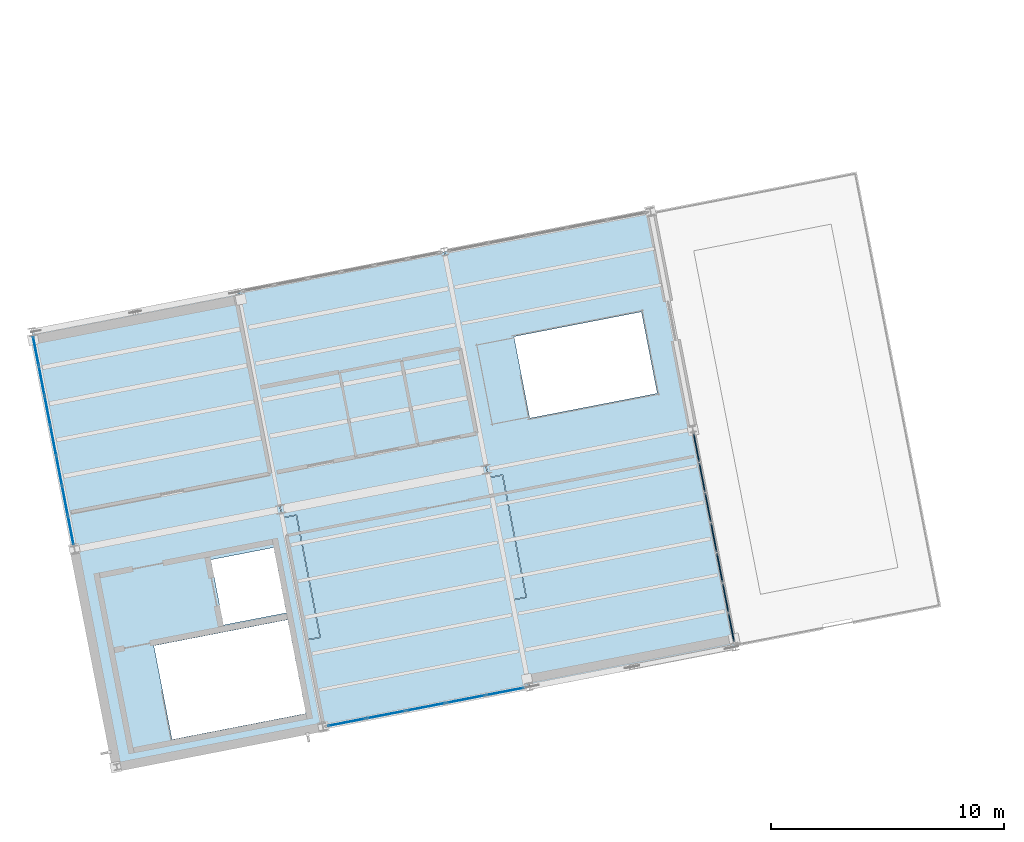
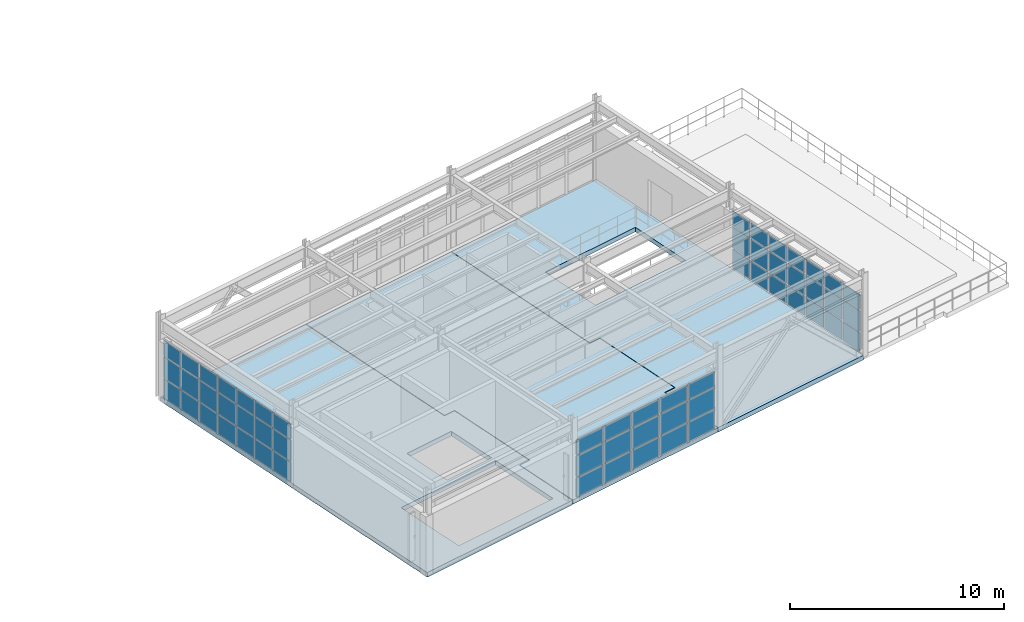
# One storey, part 59 of 102: 57 plates, 3 slabs, 3 elements without a shape of their own.
"""IFC4 building model written with IfcOpenShell, lengths in metres."""

from ifc_helpers import new_model, si_unit, direction, frame, origin, origin_2d, place, context, subcontext, project, spatial, polyline, rectangle, outline, extrude, material, layer, layer_set, type_object, element, aggregate, save


model = new_model("IFC4")

# Units and contexts
model_context = context("Model", 3, precision=1e-05, world=origin(), true_north=direction((0.0, 1.0)))
body_context = subcontext(model_context, "Body", "Model", "MODEL_VIEW")
ifc_project = project(units=[si_unit("LENGTHUNIT", "METRE"), si_unit("AREAUNIT", "SQUARE_METRE"), si_unit("VOLUMEUNIT", "CUBIC_METRE"), si_unit("PLANEANGLEUNIT", "RADIAN"), si_unit("MASSUNIT", "GRAM", prefix="KILO")], contexts=[model_context])

# Site, building, storey
site_placement = place(None, origin())
site = spatial("IfcSite", under=ifc_project, at=site_placement, CompositionType="ELEMENT")
building_placement = place(site_placement, origin())
building = spatial("IfcBuilding", under=site, at=building_placement, Name="Vireo Bluff Cable Station", CompositionType="ELEMENT")
storey_placement = place(building_placement, frame((0.0, 0.0, 9.60009765625)))
storey = spatial("IfcBuildingStorey", under=building, at=storey_placement, Name="L02", CompositionType="ELEMENT", Elevation=9.60009765625)

# Curtain wall, plates
ifc_material_1 = material(Name="Anodized Aluminium 6063-T6", Category="aluminium")
ifc_layer_1 = layer(ifc_material_1, 0.179931640625, Name="Anodized Aluminium 6063-T6")
ifc_layer_set_1 = layer_set([ifc_layer_1], Name="Anodized Aluminium 6063-T6")
curtain_wall_type_1 = type_object("IfcCurtainWallType", Name="CW-UNIT-1650", PredefinedType="USERDEFINED", material=ifc_layer_set_1)
curtain_wall_1_placement = place(storey_placement, origin())
curtain_wall_1 = element("IfcCurtainWall", 1, at=curtain_wall_1_placement, inside=storey, type_object=curtain_wall_type_1, Name="V5 L02 south curtain wall CW-125", ObjectType="UNITISED CURTAIN WALL", PredefinedType="USERDEFINED")
ifc_material_2 = material(Name="Laminated Low-E Insulated Glass", Category="glass")
ifc_layer_2 = layer(ifc_material_2, 0.028076171875, Name="Laminated Low-E Insulated Glass")
ifc_layer_set_2 = layer_set([ifc_layer_2], Name="Laminated Low-E Insulated Glass")
plate_type_1 = type_object("IfcPlateType", Name="CWP-28-1", PredefinedType="CURTAIN_PANEL", material=ifc_layer_set_2)
plate_1_placement = place(storey_placement, frame((26.142822265625, 8.735107421875, 0.0751953125), z_axis=(0.0, 0.0, 1.0), x_axis=(-0.981627185769, -0.190808983435, 0.0)))
plate_1 = element("IfcPlate", 2, at=plate_1_placement, type_object=plate_type_1, Name="CW-125 panel 1.1", PredefinedType="CURTAIN_PANEL", context=body_context, shape_type="SweptSolid", body=[
    extrude(rectangle(XDim=1.62451171875, YDim=0.028076171875, at=origin_2d()), origin(), (0.0, 0.0, 1.0), 1.077392578125),
])
plate_2_placement = place(storey_placement, frame((26.142822265625, 8.735107421875, 1.227294921875), z_axis=(0.0, 0.0, 1.0), x_axis=(-0.981627185769, -0.190808983435, 0.0)))
plate_2 = element("IfcPlate", 3, at=plate_2_placement, type_object=plate_type_1, Name="CW-125 panel 1.2", PredefinedType="CURTAIN_PANEL", context=body_context, shape_type="SweptSolid", body=[
    extrude(rectangle(XDim=1.62451171875, YDim=0.028076171875, at=origin_2d()), origin(), (0.0, 0.0, 1.0), 1.18310546875),
])
plate_3_placement = place(storey_placement, frame((26.142822265625, 8.735107421875, 2.4853515625), z_axis=(0.0, 0.0, 1.0), x_axis=(-0.981627185769, -0.190808983435, 0.0)))
plate_3 = element("IfcPlate", 4, at=plate_3_placement, type_object=plate_type_1, Name="CW-125 panel 1.3", PredefinedType="CURTAIN_PANEL", context=body_context, shape_type="SweptSolid", body=[
    extrude(rectangle(XDim=1.62451171875, YDim=0.028076171875, at=origin_2d()), origin(), (0.0, 0.0, 1.0), 0.839599609375),
])
plate_4_placement = place(storey_placement, frame((24.4560546875, 8.4072265625, 0.0751953125), z_axis=(0.0, 0.0, 1.0), x_axis=(-0.981627185769, -0.190808983435, 0.0)))
plate_4 = element("IfcPlate", 5, at=plate_4_placement, type_object=plate_type_1, Name="CW-125 panel 2.1", PredefinedType="CURTAIN_PANEL", context=body_context, shape_type="SweptSolid", body=[
    extrude(rectangle(XDim=1.662109375, YDim=0.028076171875, at=origin_2d()), origin(), (0.0, 0.0, 1.0), 1.077392578125),
])
plate_5_placement = place(storey_placement, frame((24.4560546875, 8.4072265625, 1.227294921875), z_axis=(0.0, 0.0, 1.0), x_axis=(-0.981627185769, -0.190808983435, 0.0)))
plate_5 = element("IfcPlate", 6, at=plate_5_placement, type_object=plate_type_1, Name="CW-125 panel 2.2", PredefinedType="CURTAIN_PANEL", context=body_context, shape_type="SweptSolid", body=[
    extrude(rectangle(XDim=1.662109375, YDim=0.028076171875, at=origin_2d()), origin(), (0.0, 0.0, 1.0), 1.18310546875),
])
plate_6_placement = place(storey_placement, frame((24.4560546875, 8.4072265625, 2.4853515625), z_axis=(0.0, 0.0, 1.0), x_axis=(-0.981627185769, -0.190808983435, 0.0)))
plate_6 = element("IfcPlate", 7, at=plate_6_placement, type_object=plate_type_1, Name="CW-125 panel 2.3", PredefinedType="CURTAIN_PANEL", context=body_context, shape_type="SweptSolid", body=[
    extrude(rectangle(XDim=1.662109375, YDim=0.028076171875, at=origin_2d()), origin(), (0.0, 0.0, 1.0), 0.839599609375),
])
plate_7_placement = place(storey_placement, frame((22.7509765625, 8.07568359375, 0.0751953125), z_axis=(0.0, 0.0, 1.0), x_axis=(-0.981627185769, -0.190808983435, 0.0)))
plate_7 = element("IfcPlate", 8, at=plate_7_placement, type_object=plate_type_1, Name="CW-125 panel 3.1", PredefinedType="CURTAIN_PANEL", context=body_context, shape_type="SweptSolid", body=[
    extrude(rectangle(XDim=1.662109375, YDim=0.028076171875, at=origin_2d()), origin(), (0.0, 0.0, 1.0), 1.077392578125),
])
plate_8_placement = place(storey_placement, frame((22.7509765625, 8.07568359375, 1.227294921875), z_axis=(0.0, 0.0, 1.0), x_axis=(-0.981627185769, -0.190808983435, 0.0)))
plate_8 = element("IfcPlate", 9, at=plate_8_placement, type_object=plate_type_1, Name="CW-125 panel 3.2", PredefinedType="CURTAIN_PANEL", context=body_context, shape_type="SweptSolid", body=[
    extrude(rectangle(XDim=1.662109375, YDim=0.028076171875, at=origin_2d()), origin(), (0.0, 0.0, 1.0), 1.18310546875),
])
plate_9_placement = place(storey_placement, frame((22.7509765625, 8.07568359375, 2.4853515625), z_axis=(0.0, 0.0, 1.0), x_axis=(-0.981627185769, -0.190808983435, 0.0)))
plate_9 = element("IfcPlate", 10, at=plate_9_placement, type_object=plate_type_1, Name="CW-125 panel 3.3", PredefinedType="CURTAIN_PANEL", context=body_context, shape_type="SweptSolid", body=[
    extrude(rectangle(XDim=1.662109375, YDim=0.028076171875, at=origin_2d()), origin(), (0.0, 0.0, 1.0), 0.839599609375),
])
plate_10_placement = place(storey_placement, frame((21.0458984375, 7.744384765625, 0.0751953125), z_axis=(0.0, 0.0, 1.0), x_axis=(-0.981627185769, -0.190808983435, 0.0)))
plate_10 = element("IfcPlate", 11, at=plate_10_placement, type_object=plate_type_1, Name="CW-125 panel 4.1", PredefinedType="CURTAIN_PANEL", context=body_context, shape_type="SweptSolid", body=[
    extrude(rectangle(XDim=1.662109375, YDim=0.028076171875, at=origin_2d()), origin(), (0.0, 0.0, 1.0), 1.077392578125),
])
plate_11_placement = place(storey_placement, frame((21.0458984375, 7.744384765625, 1.227294921875), z_axis=(0.0, 0.0, 1.0), x_axis=(-0.981627185769, -0.190808983435, 0.0)))
plate_11 = element("IfcPlate", 12, at=plate_11_placement, type_object=plate_type_1, Name="CW-125 panel 4.2", PredefinedType="CURTAIN_PANEL", context=body_context, shape_type="SweptSolid", body=[
    extrude(rectangle(XDim=1.662109375, YDim=0.028076171875, at=origin_2d()), origin(), (0.0, 0.0, 1.0), 1.18310546875),
])
plate_12_placement = place(storey_placement, frame((21.0458984375, 7.744384765625, 2.4853515625), z_axis=(0.0, 0.0, 1.0), x_axis=(-0.981627185769, -0.190808983435, 0.0)))
plate_12 = element("IfcPlate", 13, at=plate_12_placement, type_object=plate_type_1, Name="CW-125 panel 4.3", PredefinedType="CURTAIN_PANEL", context=body_context, shape_type="SweptSolid", body=[
    extrude(rectangle(XDim=1.662109375, YDim=0.028076171875, at=origin_2d()), origin(), (0.0, 0.0, 1.0), 0.839599609375),
])
plate_13_placement = place(storey_placement, frame((19.359130859375, 7.41650390625, 0.0751953125), z_axis=(0.0, 0.0, 1.0), x_axis=(-0.981627185769, -0.190808983435, 0.0)))
plate_13 = element("IfcPlate", 14, at=plate_13_placement, type_object=plate_type_1, Name="CW-125 panel 5.1", PredefinedType="CURTAIN_PANEL", context=body_context, shape_type="SweptSolid", body=[
    extrude(rectangle(XDim=1.62451171875, YDim=0.028076171875, at=origin_2d()), origin(), (0.0, 0.0, 1.0), 1.077392578125),
])
plate_14_placement = place(storey_placement, frame((19.359130859375, 7.41650390625, 1.227294921875), z_axis=(0.0, 0.0, 1.0), x_axis=(-0.981627185769, -0.190808983435, 0.0)))
plate_14 = element("IfcPlate", 15, at=plate_14_placement, type_object=plate_type_1, Name="CW-125 panel 5.2", PredefinedType="CURTAIN_PANEL", context=body_context, shape_type="SweptSolid", body=[
    extrude(rectangle(XDim=1.62451171875, YDim=0.028076171875, at=origin_2d()), origin(), (0.0, 0.0, 1.0), 1.18310546875),
])
plate_15_placement = place(storey_placement, frame((19.359130859375, 7.41650390625, 2.4853515625), z_axis=(0.0, 0.0, 1.0), x_axis=(-0.981627185769, -0.190808983435, 0.0)))
plate_15 = element("IfcPlate", 16, at=plate_15_placement, type_object=plate_type_1, Name="CW-125 panel 5.3", PredefinedType="CURTAIN_PANEL", context=body_context, shape_type="SweptSolid", body=[
    extrude(rectangle(XDim=1.62451171875, YDim=0.028076171875, at=origin_2d()), origin(), (0.0, 0.0, 1.0), 0.839599609375),
])
aggregate(curtain_wall_1, [plate_1, plate_2, plate_3, plate_4, plate_5, plate_6, plate_7, plate_8, plate_9, plate_10, plate_11, plate_12, plate_13, plate_14, plate_15])

ifc_layer_3 = layer(ifc_material_1, 0.179931640625, Name="Anodized Aluminium 6063-T6")
ifc_layer_set_3 = layer_set([ifc_layer_3], Name="Anodized Aluminium 6063-T6")
curtain_wall_type_2 = type_object("IfcCurtainWallType", Name="CW-UNIT-1400", PredefinedType="USERDEFINED", material=ifc_layer_set_3)
curtain_wall_2_placement = place(storey_placement, origin())
curtain_wall_2 = element("IfcCurtainWall", 17, at=curtain_wall_2_placement, inside=storey, type_object=curtain_wall_type_2, Name="V5 L02 west curtain wall CW-126", ObjectType="UNITISED CURTAIN WALL", PredefinedType="USERDEFINED")
ifc_layer_4 = layer(ifc_material_2, 0.031982421875, Name="Laminated Low-E Insulated Glass")
ifc_layer_set_4 = layer_set([ifc_layer_4], Name="Laminated Low-E Insulated Glass")
plate_type_2 = type_object("IfcPlateType", Name="CWP-32-2", PredefinedType="CURTAIN_PANEL", material=ifc_layer_set_4)
plate_16_placement = place(storey_placement, frame((7.5283203125, 15.6435546875, 0.059814453125), z_axis=(0.0, 0.0, 1.0), x_axis=(-0.190809009442, 0.981627180714, 0.0)))
plate_16 = element("IfcPlate", 18, at=plate_16_placement, type_object=plate_type_2, Name="CW-126 panel 1.1", PredefinedType="CURTAIN_PANEL", context=body_context, shape_type="SweptSolid", body=[
    extrude(rectangle(XDim=1.2197265625, YDim=0.031982421875, at=origin_2d()), origin(), (0.0, 0.0, 1.0), 1.10009765625),
])
plate_17_placement = place(storey_placement, frame((7.5283203125, 15.6435546875, 1.2197265625), z_axis=(0.0, 0.0, 1.0), x_axis=(-0.190809009442, 0.981627180714, 0.0)))
plate_17 = element("IfcPlate", 19, at=plate_17_placement, type_object=plate_type_2, Name="CW-126 panel 1.2", PredefinedType="CURTAIN_PANEL", context=body_context, shape_type="SweptSolid", body=[
    extrude(rectangle(XDim=1.2197265625, YDim=0.031982421875, at=origin_2d()), origin(), (0.0, 0.0, 1.0), 1.197998046875),
])
plate_18_placement = place(storey_placement, frame((7.5283203125, 15.6435546875, 2.47802734375), z_axis=(0.0, 0.0, 1.0), x_axis=(-0.190809009442, 0.981627180714, 0.0)))
plate_18 = element("IfcPlate", 20, at=plate_18_placement, type_object=plate_type_2, Name="CW-126 panel 1.3", PredefinedType="CURTAIN_PANEL", context=body_context, shape_type="SweptSolid", body=[
    extrude(rectangle(XDim=1.2197265625, YDim=0.031982421875, at=origin_2d()), origin(), (0.0, 0.0, 1.0), 0.862060546875),
])
plate_19_placement = place(storey_placement, frame((7.28125, 16.91455078125, 0.059814453125), z_axis=(0.0, 0.0, 1.0), x_axis=(-0.190809009442, 0.981627180714, 0.0)))
plate_19 = element("IfcPlate", 21, at=plate_19_placement, type_object=plate_type_2, Name="CW-126 panel 2.1", PredefinedType="CURTAIN_PANEL", context=body_context, shape_type="SweptSolid", body=[
    extrude(rectangle(XDim=1.249755859375, YDim=0.031982421875, at=origin_2d()), origin(), (0.0, 0.0, 1.0), 1.10009765625),
])
plate_20_placement = place(storey_placement, frame((7.28125, 16.91455078125, 1.2197265625), z_axis=(0.0, 0.0, 1.0), x_axis=(-0.190809009442, 0.981627180714, 0.0)))
plate_20 = element("IfcPlate", 22, at=plate_20_placement, type_object=plate_type_2, Name="CW-126 panel 2.2", PredefinedType="CURTAIN_PANEL", context=body_context, shape_type="SweptSolid", body=[
    extrude(rectangle(XDim=1.249755859375, YDim=0.031982421875, at=origin_2d()), origin(), (0.0, 0.0, 1.0), 1.197998046875),
])
plate_21_placement = place(storey_placement, frame((7.28125, 16.91455078125, 2.47802734375), z_axis=(0.0, 0.0, 1.0), x_axis=(-0.190809009442, 0.981627180714, 0.0)))
plate_21 = element("IfcPlate", 23, at=plate_21_placement, type_object=plate_type_2, Name="CW-126 panel 2.3", PredefinedType="CURTAIN_PANEL", context=body_context, shape_type="SweptSolid", body=[
    extrude(rectangle(XDim=1.249755859375, YDim=0.031982421875, at=origin_2d()), origin(), (0.0, 0.0, 1.0), 0.862060546875),
])
plate_22_placement = place(storey_placement, frame((7.03125, 18.2001953125, 0.059814453125), z_axis=(0.0, 0.0, 1.0), x_axis=(-0.190809009442, 0.981627180714, 0.0)))
plate_22 = element("IfcPlate", 24, at=plate_22_placement, type_object=plate_type_2, Name="CW-126 panel 3.1", PredefinedType="CURTAIN_PANEL", context=body_context, shape_type="SweptSolid", body=[
    extrude(rectangle(XDim=1.249755859375, YDim=0.031982421875, at=origin_2d()), origin(), (0.0, 0.0, 1.0), 1.10009765625),
])
plate_23_placement = place(storey_placement, frame((7.03125, 18.2001953125, 1.2197265625), z_axis=(0.0, 0.0, 1.0), x_axis=(-0.190809009442, 0.981627180714, 0.0)))
plate_23 = element("IfcPlate", 25, at=plate_23_placement, type_object=plate_type_2, Name="CW-126 panel 3.2", PredefinedType="CURTAIN_PANEL", context=body_context, shape_type="SweptSolid", body=[
    extrude(rectangle(XDim=1.249755859375, YDim=0.031982421875, at=origin_2d()), origin(), (0.0, 0.0, 1.0), 1.197998046875),
])
plate_24_placement = place(storey_placement, frame((7.03125, 18.2001953125, 2.47802734375), z_axis=(0.0, 0.0, 1.0), x_axis=(-0.190809009442, 0.981627180714, 0.0)))
plate_24 = element("IfcPlate", 26, at=plate_24_placement, type_object=plate_type_2, Name="CW-126 panel 3.3", PredefinedType="CURTAIN_PANEL", context=body_context, shape_type="SweptSolid", body=[
    extrude(rectangle(XDim=1.249755859375, YDim=0.031982421875, at=origin_2d()), origin(), (0.0, 0.0, 1.0), 0.862060546875),
])
plate_25_placement = place(storey_placement, frame((6.781494140625, 19.48583984375, 0.059814453125), z_axis=(0.0, 0.0, 1.0), x_axis=(-0.190809009442, 0.981627180714, 0.0)))
plate_25 = element("IfcPlate", 27, at=plate_25_placement, type_object=plate_type_2, Name="CW-126 panel 4.1", PredefinedType="CURTAIN_PANEL", context=body_context, shape_type="SweptSolid", body=[
    extrude(rectangle(XDim=1.249755859375, YDim=0.031982421875, at=origin_2d()), origin(), (0.0, 0.0, 1.0), 1.10009765625),
])
plate_26_placement = place(storey_placement, frame((6.781494140625, 19.48583984375, 1.2197265625), z_axis=(0.0, 0.0, 1.0), x_axis=(-0.190809009442, 0.981627180714, 0.0)))
plate_26 = element("IfcPlate", 28, at=plate_26_placement, type_object=plate_type_2, Name="CW-126 panel 4.2", PredefinedType="CURTAIN_PANEL", context=body_context, shape_type="SweptSolid", body=[
    extrude(rectangle(XDim=1.249755859375, YDim=0.031982421875, at=origin_2d()), origin(), (0.0, 0.0, 1.0), 1.197998046875),
])
plate_27_placement = place(storey_placement, frame((6.781494140625, 19.48583984375, 2.47802734375), z_axis=(0.0, 0.0, 1.0), x_axis=(-0.190809009442, 0.981627180714, 0.0)))
plate_27 = element("IfcPlate", 29, at=plate_27_placement, type_object=plate_type_2, Name="CW-126 panel 4.3", PredefinedType="CURTAIN_PANEL", context=body_context, shape_type="SweptSolid", body=[
    extrude(rectangle(XDim=1.249755859375, YDim=0.031982421875, at=origin_2d()), origin(), (0.0, 0.0, 1.0), 0.862060546875),
])
plate_28_placement = place(storey_placement, frame((6.531494140625, 20.771484375, 0.059814453125), z_axis=(0.0, 0.0, 1.0), x_axis=(-0.190809009442, 0.981627180714, 0.0)))
plate_28 = element("IfcPlate", 30, at=plate_28_placement, type_object=plate_type_2, Name="CW-126 panel 5.1", PredefinedType="CURTAIN_PANEL", context=body_context, shape_type="SweptSolid", body=[
    extrude(rectangle(XDim=1.249755859375, YDim=0.031982421875, at=origin_2d()), origin(), (0.0, 0.0, 1.0), 1.10009765625),
])
plate_29_placement = place(storey_placement, frame((6.531494140625, 20.771484375, 1.2197265625), z_axis=(0.0, 0.0, 1.0), x_axis=(-0.190809009442, 0.981627180714, 0.0)))
plate_29 = element("IfcPlate", 31, at=plate_29_placement, type_object=plate_type_2, Name="CW-126 panel 5.2", PredefinedType="CURTAIN_PANEL", context=body_context, shape_type="SweptSolid", body=[
    extrude(rectangle(XDim=1.249755859375, YDim=0.031982421875, at=origin_2d()), origin(), (0.0, 0.0, 1.0), 1.197998046875),
])
plate_30_placement = place(storey_placement, frame((6.531494140625, 20.771484375, 2.47802734375), z_axis=(0.0, 0.0, 1.0), x_axis=(-0.190809009442, 0.981627180714, 0.0)))
plate_30 = element("IfcPlate", 32, at=plate_30_placement, type_object=plate_type_2, Name="CW-126 panel 5.3", PredefinedType="CURTAIN_PANEL", context=body_context, shape_type="SweptSolid", body=[
    extrude(rectangle(XDim=1.249755859375, YDim=0.031982421875, at=origin_2d()), origin(), (0.0, 0.0, 1.0), 0.862060546875),
])
plate_31_placement = place(storey_placement, frame((6.28173828125, 22.05712890625, 0.059814453125), z_axis=(0.0, 0.0, 1.0), x_axis=(-0.190809009442, 0.981627180714, 0.0)))
plate_31 = element("IfcPlate", 33, at=plate_31_placement, type_object=plate_type_2, Name="CW-126 panel 6.1", PredefinedType="CURTAIN_PANEL", context=body_context, shape_type="SweptSolid", body=[
    extrude(rectangle(XDim=1.249755859375, YDim=0.031982421875, at=origin_2d()), origin(), (0.0, 0.0, 1.0), 1.10009765625),
])
plate_32_placement = place(storey_placement, frame((6.28173828125, 22.05712890625, 1.2197265625), z_axis=(0.0, 0.0, 1.0), x_axis=(-0.190809009442, 0.981627180714, 0.0)))
plate_32 = element("IfcPlate", 34, at=plate_32_placement, type_object=plate_type_2, Name="CW-126 panel 6.2", PredefinedType="CURTAIN_PANEL", context=body_context, shape_type="SweptSolid", body=[
    extrude(rectangle(XDim=1.249755859375, YDim=0.031982421875, at=origin_2d()), origin(), (0.0, 0.0, 1.0), 1.197998046875),
])
plate_33_placement = place(storey_placement, frame((6.28173828125, 22.05712890625, 2.47802734375), z_axis=(0.0, 0.0, 1.0), x_axis=(-0.190809009442, 0.981627180714, 0.0)))
plate_33 = element("IfcPlate", 35, at=plate_33_placement, type_object=plate_type_2, Name="CW-126 panel 6.3", PredefinedType="CURTAIN_PANEL", context=body_context, shape_type="SweptSolid", body=[
    extrude(rectangle(XDim=1.249755859375, YDim=0.031982421875, at=origin_2d()), origin(), (0.0, 0.0, 1.0), 0.862060546875),
])
plate_34_placement = place(storey_placement, frame((6.03466796875, 23.327880859375, 0.059814453125), z_axis=(0.0, 0.0, 1.0), x_axis=(-0.190809009442, 0.981627180714, 0.0)))
plate_34 = element("IfcPlate", 36, at=plate_34_placement, type_object=plate_type_2, Name="CW-126 panel 7.1", PredefinedType="CURTAIN_PANEL", context=body_context, shape_type="SweptSolid", body=[
    extrude(rectangle(XDim=1.2197265625, YDim=0.031982421875, at=origin_2d()), origin(), (0.0, 0.0, 1.0), 1.10009765625),
])
plate_35_placement = place(storey_placement, frame((6.03466796875, 23.327880859375, 1.2197265625), z_axis=(0.0, 0.0, 1.0), x_axis=(-0.190809009442, 0.981627180714, 0.0)))
plate_35 = element("IfcPlate", 37, at=plate_35_placement, type_object=plate_type_2, Name="CW-126 panel 7.2", PredefinedType="CURTAIN_PANEL", context=body_context, shape_type="SweptSolid", body=[
    extrude(rectangle(XDim=1.2197265625, YDim=0.031982421875, at=origin_2d()), origin(), (0.0, 0.0, 1.0), 1.197998046875),
])
plate_36_placement = place(storey_placement, frame((6.03466796875, 23.327880859375, 2.47802734375), z_axis=(0.0, 0.0, 1.0), x_axis=(-0.190809009442, 0.981627180714, 0.0)))
plate_36 = element("IfcPlate", 38, at=plate_36_placement, type_object=plate_type_2, Name="CW-126 panel 7.3", PredefinedType="CURTAIN_PANEL", context=body_context, shape_type="SweptSolid", body=[
    extrude(rectangle(XDim=1.2197265625, YDim=0.031982421875, at=origin_2d()), origin(), (0.0, 0.0, 1.0), 0.862060546875),
])
aggregate(curtain_wall_2, [plate_16, plate_17, plate_18, plate_19, plate_20, plate_21, plate_22, plate_23, plate_24, plate_25, plate_26, plate_27, plate_28, plate_29, plate_30, plate_31, plate_32, plate_33, plate_34, plate_35, plate_36])

curtain_wall_3_placement = place(storey_placement, origin())
curtain_wall_3 = element("IfcCurtainWall", 39, at=curtain_wall_3_placement, inside=storey, type_object=curtain_wall_type_2, Name="V5 L02 east curtain wall CW-129", ObjectType="UNITISED CURTAIN WALL", PredefinedType="USERDEFINED")
ifc_material_3 = material(Name="Insulated Spandrel Glass Panel", Category="glass")
ifc_layer_5 = layer(ifc_material_3, 0.048095703125, Name="Insulated Spandrel Glass Panel")
ifc_layer_set_5 = layer_set([ifc_layer_5], Name="Insulated Spandrel Glass Panel")
plate_type_3 = type_object("IfcPlateType", Name="CWP-48-5", PredefinedType="CURTAIN_PANEL", material=ifc_layer_set_5)
plate_37_placement = place(storey_placement, frame((34.345703125, 19.18212890625, 0.0751953125), z_axis=(0.0, 0.0, 1.0), x_axis=(0.190809021589, -0.981627178352, 0.0)))
plate_37 = element("IfcPlate", 40, at=plate_37_placement, type_object=plate_type_3, Name="CW-129 panel 1.1", PredefinedType="CURTAIN_PANEL", context=body_context, shape_type="SweptSolid", body=[
    extrude(rectangle(XDim=1.2021484375, YDim=0.048095703125, at=origin_2d()), origin(), (0.0, 0.0, 1.0), 1.077392578125),
])
plate_38_placement = place(storey_placement, frame((34.345703125, 19.18212890625, 1.227294921875), z_axis=(0.0, 0.0, 1.0), x_axis=(0.190809021589, -0.981627178352, 0.0)))
plate_38 = element("IfcPlate", 41, at=plate_38_placement, type_object=plate_type_3, Name="CW-129 panel 1.2", PredefinedType="CURTAIN_PANEL", context=body_context, shape_type="SweptSolid", body=[
    extrude(rectangle(XDim=1.2021484375, YDim=0.048095703125, at=origin_2d()), origin(), (0.0, 0.0, 1.0), 1.18310546875),
])
plate_39_placement = place(storey_placement, frame((34.345703125, 19.18212890625, 2.4853515625), z_axis=(0.0, 0.0, 1.0), x_axis=(0.190809021589, -0.981627178352, 0.0)))
plate_39 = element("IfcPlate", 42, at=plate_39_placement, type_object=plate_type_3, Name="CW-129 panel 1.3", PredefinedType="CURTAIN_PANEL", context=body_context, shape_type="SweptSolid", body=[
    extrude(rectangle(XDim=1.2021484375, YDim=0.048095703125, at=origin_2d()), origin(), (0.0, 0.0, 1.0), 0.839599609375),
])
plate_40_placement = place(storey_placement, frame((34.593017578125, 17.909912109375, 0.0751953125), z_axis=(0.0, 0.0, 1.0), x_axis=(0.190809021589, -0.981627178352, 0.0)))
plate_40 = element("IfcPlate", 43, at=plate_40_placement, type_object=plate_type_3, Name="CW-129 panel 2.1", PredefinedType="CURTAIN_PANEL", context=body_context, shape_type="SweptSolid", body=[
    extrude(rectangle(XDim=1.23974609375, YDim=0.048095703125, at=origin_2d()), origin(), (0.0, 0.0, 1.0), 1.077392578125),
])
plate_41_placement = place(storey_placement, frame((34.593017578125, 17.909912109375, 1.227294921875), z_axis=(0.0, 0.0, 1.0), x_axis=(0.190809021589, -0.981627178352, 0.0)))
plate_41 = element("IfcPlate", 44, at=plate_41_placement, type_object=plate_type_3, Name="CW-129 panel 2.2", PredefinedType="CURTAIN_PANEL", context=body_context, shape_type="SweptSolid", body=[
    extrude(rectangle(XDim=1.23974609375, YDim=0.048095703125, at=origin_2d()), origin(), (0.0, 0.0, 1.0), 1.18310546875),
])
plate_42_placement = place(storey_placement, frame((34.593017578125, 17.909912109375, 2.4853515625), z_axis=(0.0, 0.0, 1.0), x_axis=(0.190809021589, -0.981627178352, 0.0)))
plate_42 = element("IfcPlate", 45, at=plate_42_placement, type_object=plate_type_3, Name="CW-129 panel 2.3", PredefinedType="CURTAIN_PANEL", context=body_context, shape_type="SweptSolid", body=[
    extrude(rectangle(XDim=1.23974609375, YDim=0.048095703125, at=origin_2d()), origin(), (0.0, 0.0, 1.0), 0.839599609375),
])
plate_43_placement = place(storey_placement, frame((34.843994140625, 16.61962890625, 0.0751953125), z_axis=(0.0, 0.0, 1.0), x_axis=(0.190809021589, -0.981627178352, 0.0)))
plate_43 = element("IfcPlate", 46, at=plate_43_placement, type_object=plate_type_3, Name="CW-129 panel 3.1", PredefinedType="CURTAIN_PANEL", context=body_context, shape_type="SweptSolid", body=[
    extrude(rectangle(XDim=1.23974609375, YDim=0.048095703125, at=origin_2d()), origin(), (0.0, 0.0, 1.0), 1.077392578125),
])
plate_44_placement = place(storey_placement, frame((34.843994140625, 16.61962890625, 1.227294921875), z_axis=(0.0, 0.0, 1.0), x_axis=(0.190809021589, -0.981627178352, 0.0)))
plate_44 = element("IfcPlate", 47, at=plate_44_placement, type_object=plate_type_3, Name="CW-129 panel 3.2", PredefinedType="CURTAIN_PANEL", context=body_context, shape_type="SweptSolid", body=[
    extrude(rectangle(XDim=1.23974609375, YDim=0.048095703125, at=origin_2d()), origin(), (0.0, 0.0, 1.0), 1.18310546875),
])
plate_45_placement = place(storey_placement, frame((34.843994140625, 16.61962890625, 2.4853515625), z_axis=(0.0, 0.0, 1.0), x_axis=(0.190809021589, -0.981627178352, 0.0)))
plate_45 = element("IfcPlate", 48, at=plate_45_placement, type_object=plate_type_3, Name="CW-129 panel 3.3", PredefinedType="CURTAIN_PANEL", context=body_context, shape_type="SweptSolid", body=[
    extrude(rectangle(XDim=1.23974609375, YDim=0.048095703125, at=origin_2d()), origin(), (0.0, 0.0, 1.0), 0.839599609375),
])
plate_46_placement = place(storey_placement, frame((35.0947265625, 15.3291015625, 0.0751953125), z_axis=(0.0, 0.0, 1.0), x_axis=(0.190809021589, -0.981627178352, 0.0)))
plate_46 = element("IfcPlate", 49, at=plate_46_placement, type_object=plate_type_3, Name="CW-129 panel 4.1", PredefinedType="CURTAIN_PANEL", context=body_context, shape_type="SweptSolid", body=[
    extrude(rectangle(XDim=1.23974609375, YDim=0.048095703125, at=origin_2d()), origin(), (0.0, 0.0, 1.0), 1.077392578125),
])
plate_47_placement = place(storey_placement, frame((35.0947265625, 15.3291015625, 1.227294921875), z_axis=(0.0, 0.0, 1.0), x_axis=(0.190809021589, -0.981627178352, 0.0)))
plate_47 = element("IfcPlate", 50, at=plate_47_placement, type_object=plate_type_3, Name="CW-129 panel 4.2", PredefinedType="CURTAIN_PANEL", context=body_context, shape_type="SweptSolid", body=[
    extrude(rectangle(XDim=1.23974609375, YDim=0.048095703125, at=origin_2d()), origin(), (0.0, 0.0, 1.0), 1.18310546875),
])
plate_48_placement = place(storey_placement, frame((35.0947265625, 15.3291015625, 2.4853515625), z_axis=(0.0, 0.0, 1.0), x_axis=(0.190809021589, -0.981627178352, 0.0)))
plate_48 = element("IfcPlate", 51, at=plate_48_placement, type_object=plate_type_3, Name="CW-129 panel 4.3", PredefinedType="CURTAIN_PANEL", context=body_context, shape_type="SweptSolid", body=[
    extrude(rectangle(XDim=1.23974609375, YDim=0.048095703125, at=origin_2d()), origin(), (0.0, 0.0, 1.0), 0.839599609375),
])
plate_49_placement = place(storey_placement, frame((35.345703125, 14.03857421875, 0.0751953125), z_axis=(0.0, 0.0, 1.0), x_axis=(0.190809021589, -0.981627178352, 0.0)))
plate_49 = element("IfcPlate", 52, at=plate_49_placement, type_object=plate_type_3, Name="CW-129 panel 5.1", PredefinedType="CURTAIN_PANEL", context=body_context, shape_type="SweptSolid", body=[
    extrude(rectangle(XDim=1.23974609375, YDim=0.048095703125, at=origin_2d()), origin(), (0.0, 0.0, 1.0), 1.077392578125),
])
plate_50_placement = place(storey_placement, frame((35.345703125, 14.03857421875, 1.227294921875), z_axis=(0.0, 0.0, 1.0), x_axis=(0.190809021589, -0.981627178352, 0.0)))
plate_50 = element("IfcPlate", 53, at=plate_50_placement, type_object=plate_type_3, Name="CW-129 panel 5.2", PredefinedType="CURTAIN_PANEL", context=body_context, shape_type="SweptSolid", body=[
    extrude(rectangle(XDim=1.23974609375, YDim=0.048095703125, at=origin_2d()), origin(), (0.0, 0.0, 1.0), 1.18310546875),
])
plate_51_placement = place(storey_placement, frame((35.345703125, 14.03857421875, 2.4853515625), z_axis=(0.0, 0.0, 1.0), x_axis=(0.190809021589, -0.981627178352, 0.0)))
plate_51 = element("IfcPlate", 54, at=plate_51_placement, type_object=plate_type_3, Name="CW-129 panel 5.3", PredefinedType="CURTAIN_PANEL", context=body_context, shape_type="SweptSolid", body=[
    extrude(rectangle(XDim=1.23974609375, YDim=0.048095703125, at=origin_2d()), origin(), (0.0, 0.0, 1.0), 0.839599609375),
])
plate_52_placement = place(storey_placement, frame((35.596435546875, 12.748046875, 0.0751953125), z_axis=(0.0, 0.0, 1.0), x_axis=(0.190809021589, -0.981627178352, 0.0)))
plate_52 = element("IfcPlate", 55, at=plate_52_placement, type_object=plate_type_3, Name="CW-129 panel 6.1", PredefinedType="CURTAIN_PANEL", context=body_context, shape_type="SweptSolid", body=[
    extrude(rectangle(XDim=1.23974609375, YDim=0.048095703125, at=origin_2d()), origin(), (0.0, 0.0, 1.0), 1.077392578125),
])
plate_53_placement = place(storey_placement, frame((35.596435546875, 12.748046875, 1.227294921875), z_axis=(0.0, 0.0, 1.0), x_axis=(0.190809021589, -0.981627178352, 0.0)))
plate_53 = element("IfcPlate", 56, at=plate_53_placement, type_object=plate_type_3, Name="CW-129 panel 6.2", PredefinedType="CURTAIN_PANEL", context=body_context, shape_type="SweptSolid", body=[
    extrude(rectangle(XDim=1.23974609375, YDim=0.048095703125, at=origin_2d()), origin(), (0.0, 0.0, 1.0), 1.18310546875),
])
plate_54_placement = place(storey_placement, frame((35.596435546875, 12.748046875, 2.4853515625), z_axis=(0.0, 0.0, 1.0), x_axis=(0.190809021589, -0.981627178352, 0.0)))
plate_54 = element("IfcPlate", 57, at=plate_54_placement, type_object=plate_type_3, Name="CW-129 panel 6.3", PredefinedType="CURTAIN_PANEL", context=body_context, shape_type="SweptSolid", body=[
    extrude(rectangle(XDim=1.23974609375, YDim=0.048095703125, at=origin_2d()), origin(), (0.0, 0.0, 1.0), 0.839599609375),
])
plate_55_placement = place(storey_placement, frame((35.84375, 11.47607421875, 0.0751953125), z_axis=(0.0, 0.0, 1.0), x_axis=(0.190809021589, -0.981627178352, 0.0)))
plate_55 = element("IfcPlate", 58, at=plate_55_placement, type_object=plate_type_3, Name="CW-129 panel 7.1", PredefinedType="CURTAIN_PANEL", context=body_context, shape_type="SweptSolid", body=[
    extrude(rectangle(XDim=1.2021484375, YDim=0.048095703125, at=origin_2d()), origin(), (0.0, 0.0, 1.0), 1.077392578125),
])
plate_56_placement = place(storey_placement, frame((35.84375, 11.47607421875, 1.227294921875), z_axis=(0.0, 0.0, 1.0), x_axis=(0.190809021589, -0.981627178352, 0.0)))
plate_56 = element("IfcPlate", 59, at=plate_56_placement, type_object=plate_type_3, Name="CW-129 panel 7.2", PredefinedType="CURTAIN_PANEL", context=body_context, shape_type="SweptSolid", body=[
    extrude(rectangle(XDim=1.2021484375, YDim=0.048095703125, at=origin_2d()), origin(), (0.0, 0.0, 1.0), 1.18310546875),
])
plate_57_placement = place(storey_placement, frame((35.84375, 11.47607421875, 2.4853515625), z_axis=(0.0, 0.0, 1.0), x_axis=(0.190809021589, -0.981627178352, 0.0)))
plate_57 = element("IfcPlate", 60, at=plate_57_placement, type_object=plate_type_3, Name="CW-129 panel 7.3", PredefinedType="CURTAIN_PANEL", context=body_context, shape_type="SweptSolid", body=[
    extrude(rectangle(XDim=1.2021484375, YDim=0.048095703125, at=origin_2d()), origin(), (0.0, 0.0, 1.0), 0.839599609375),
])
aggregate(curtain_wall_3, [plate_37, plate_38, plate_39, plate_40, plate_41, plate_42, plate_43, plate_44, plate_45, plate_46, plate_47, plate_48, plate_49, plate_50, plate_51, plate_52, plate_53, plate_54, plate_55, plate_56, plate_57])

# Slabs
ifc_material_4 = material(Name="Concrete f'c 40 MPa", Category="concrete")
ifc_layer_6 = layer(ifc_material_4, 0.239990234375, Name="Concrete f'c 40 MPa")
ifc_layer_set_6 = layer_set([ifc_layer_6], Name="Concrete f'c 40 MPa")
slab_type_1 = type_object("IfcSlabType", Name="FLOORSLAB-240", PredefinedType="FLOOR", material=ifc_layer_set_6)
slab_1_placement = place(storey_placement, frame((0.0, 0.0, -0.239990234375)))
element("IfcSlab", 61, at=slab_1_placement, inside=storey, type_object=slab_type_1, Name="V5 L02 floor slab bay 2", PredefinedType="FLOOR", context=body_context, shape_type="SweptSolid", body=[
    extrude(outline(polyline([(18.344482421875, 7.21923828125), (27.159423828125, 8.9326171875), (26.434326171875, 12.662841796875), (27.04296875, 12.78125), (26.02783203125, 18.00341796875), (25.419189453125, 17.885009765625), (23.5341796875, 27.58349609375), (14.718994140625, 25.8701171875), (16.6005859375, 16.191162109375), (17.208984375, 16.3095703125), (18.23193359375, 11.048095703125), (17.623291015625, 10.9296875), (18.344482421875, 7.21923828125)])), origin(), (0.0, 0.0, 1.0), 0.239990234375),
])
ifc_layer_7 = layer(ifc_material_4, 0.260009765625, Name="Concrete f'c 40 MPa")
ifc_layer_set_7 = layer_set([ifc_layer_7], Name="Concrete f'c 40 MPa")
slab_type_2 = type_object("IfcSlabType", Name="FLOORSLAB-260", PredefinedType="FLOOR", material=ifc_layer_set_7)
slab_2_placement = place(storey_placement, frame((0.0, 0.0, -0.260009765625)))
element("IfcSlab", 62, at=slab_2_placement, inside=storey, type_object=slab_type_2, Name="V5 L02 floor slab bay 1", PredefinedType="FLOOR", context=body_context, shape_type="SweptSolid", body=[
    extrude(outline(polyline([(9.5, 5.5), (18.32470703125, 7.21533203125), (17.599853515625, 10.945556640625), (18.208251953125, 11.06396484375), (17.193359375, 16.2861328125), (16.584716796875, 16.167724609375), (14.699462890625, 25.8662109375), (5.87451171875, 24.15087890625), (9.5, 5.5)]), holes=[polyline([(11.8701171875, 6.674560546875), (11.088134765625, 10.69775390625), (16.8291015625, 11.813720703125), (17.611083984375, 7.79052734375), (11.8701171875, 6.674560546875)]), polyline([(14.07373046875, 11.585205078125), (13.5302734375, 14.38134765625), (16.22802734375, 14.90576171875), (16.771484375, 12.109619140625), (14.07373046875, 11.585205078125)])]), origin(), (0.0, 0.0, 1.0), 0.260009765625),
])
slab_3_placement = place(storey_placement, frame((0.0, 0.0, -0.260009765625)))
element("IfcSlab", 63, at=slab_3_placement, inside=storey, type_object=slab_type_2, Name="V5 L02 floor slab bay 3", PredefinedType="FLOOR", context=body_context, shape_type="SweptSolid", body=[
    extrude(outline(polyline([(27.17919921875, 8.9365234375), (36.00390625, 10.65185546875), (32.378662109375, 29.302734375), (23.5537109375, 27.58740234375), (25.43505859375, 17.908447265625), (26.043701171875, 18.02685546875), (27.06640625, 12.765380859375), (26.457763671875, 12.64697265625), (27.17919921875, 8.9365234375)]), holes=[polyline([(27.202880859375, 20.453369140625), (26.52392578125, 23.946533203125), (31.989990234375, 25.009033203125), (32.6689453125, 21.515869140625), (27.202880859375, 20.453369140625)])]), origin(), (0.0, 0.0, 1.0), 0.260009765625),
])

save(model, "model.ifc")
